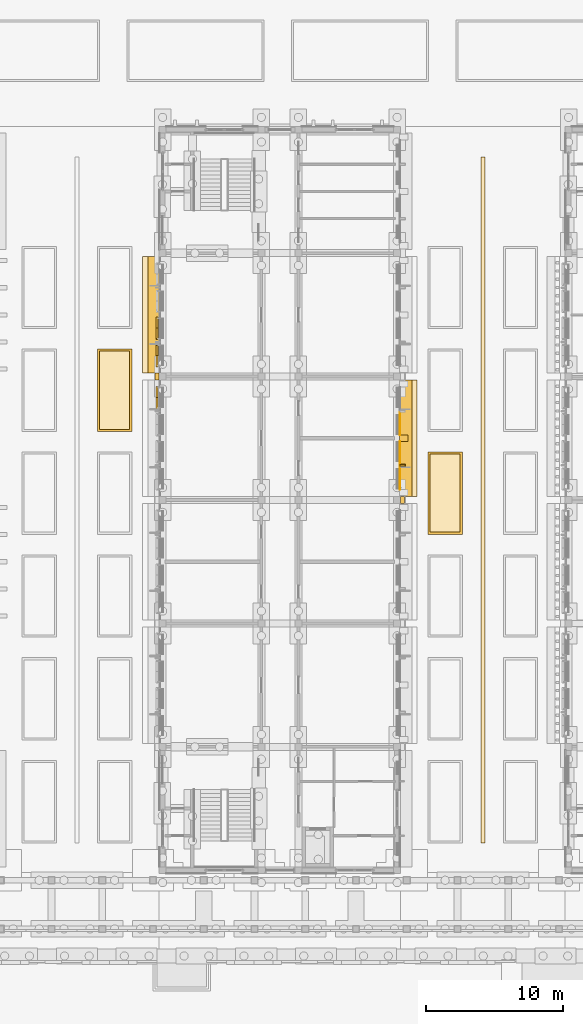
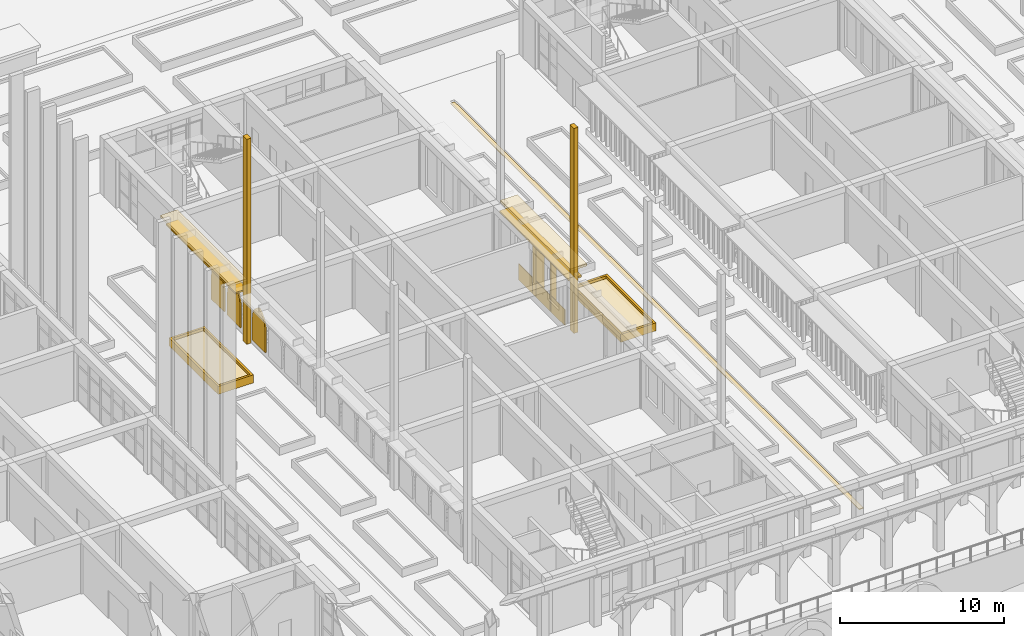
# One storey, part 107 of 161: 14 coverings, 5 shading devices.
"""IFC4 building model written with IfcOpenShell, lengths in metres."""

from ifc_helpers import new_model, si_unit, direction, frame, origin, origin_2d, place, context, subcontext, project, spatial, polyline, rectangle, outline, extrude, material, layer, layer_set, type_object, element, save


model = new_model("IFC4")

# Units and contexts
model_context = context("Model", 3, precision=1e-05, world=origin(), true_north=direction((0.0, 1.0)))
body_context = subcontext(model_context, "Body", "Model", "MODEL_VIEW")
ifc_project = project(units=[si_unit("LENGTHUNIT", "METRE"), si_unit("AREAUNIT", "SQUARE_METRE"), si_unit("VOLUMEUNIT", "CUBIC_METRE"), si_unit("PLANEANGLEUNIT", "RADIAN"), si_unit("MASSUNIT", "GRAM", prefix="KILO")], contexts=[model_context])

# Site, building, storey
site_placement = place(None, origin())
site = spatial("IfcSite", under=ifc_project, at=site_placement, CompositionType="ELEMENT")
building_placement = place(site_placement, origin())
building = spatial("IfcBuilding", under=site, at=building_placement, Name="Elbe Cascade School", CompositionType="ELEMENT")
storey_placement = place(building_placement, origin())
storey = spatial("IfcBuildingStorey", under=building, at=storey_placement, Name="L00", CompositionType="ELEMENT", Elevation=0.0)

# Shading devices
ifc_material_1 = material(Name="Precast concrete C30/37", Category="concrete")
ifc_layer_1 = layer(ifc_material_1, 0.1201171875)
ifc_layer_set_1 = layer_set([ifc_layer_1], Name="Precast concrete C30/37")
shading_device_type_1 = type_object("IfcShadingDeviceType", Name="Bars envelope Chhajja eave, precast concrete, 900 x 120", PredefinedType="USERDEFINED", material=ifc_layer_set_1)
for number, where, z_axis, x_axis, name in (
    (1, (97.969970703125, 46.5, 3.6298828125), (0.0, 0.0, 1.0), (0.0, 1.0, 0.0), "Chhajja eave SD2 B.L00.w5"),
    (2, (116.330078125, 37.5, 3.6298828125), (0.0, 0.0, 1.0), (0.0, 1.0, 0.0), "Chhajja eave SD2 B.L00.e4"),
):
    element("IfcShadingDevice", number, at=place(storey_placement, frame(where, z_axis=z_axis, x_axis=x_axis)), inside=storey, type_object=shading_device_type_1, Name=name, ObjectType="CHHAJJA", PredefinedType="USERDEFINED", context=body_context, shape_type="SweptSolid", body=[
        extrude(rectangle(XDim=8.5, YDim=0.89990234375, at=origin_2d()), origin(), (0.0, 0.0, 1.0), 0.1201171875),
    ])
ifc_material_2 = material(Name="Precast concrete C40/50", Category="concrete")
ifc_layer_2 = layer(ifc_material_2, 0.10009765625)
ifc_layer_set_2 = layer_set([ifc_layer_2], Name="Precast concrete C40/50")
shading_device_type_2 = type_object("IfcShadingDeviceType", Name="Bars envelope Jali screen 1600 x 2840, pointed arch rise 1200, pierced precast concrete", PredefinedType="USERDEFINED", material=ifc_layer_set_2)
shading_device_1_placement = place(storey_placement, frame((98.139892578125, 39.669921875, 2.239990234375), z_axis=(-1.0, 0.0, 0.0), x_axis=(0.0, 0.196300278283, 0.98054382908)))
element("IfcShadingDevice", 3, at=shading_device_1_placement, inside=storey, type_object=shading_device_type_2, Name="Jali screen SD3 B.L00.w4.4", ObjectType="JALI", PredefinedType="USERDEFINED", context=body_context, shape_type="SweptSolid", body=[
    extrude(outline(polyline([(0.0, 0.0), (0.509921112317134, 0.0), (0.7186888708788461, 0.0602894897654897), (0.8735458233318658, 0.1311226852889124), (0.9982874871653163, 0.20823380534668107), (1.102872417131342, 0.2891312241218946), (1.1919448840573539, 0.37338315020117196), (1.2683296500699814, 0.46017509452971084), (1.3336545243794973, 0.5489321924158467), (1.3075801207519657, 0.6562359822289878), (1.270445825421322, 0.7655049255997259), (1.220671754049922, 0.877553277802997), (1.1553372947658807, 0.9927167467270602), (1.069846101614414, 1.1116665143685687), (0.9542396198433787, 1.2368942065444228), (0.7847223319636507, 1.37266560447821), (0.31409961520112845, 1.5689658827607584), (-1.2938869326328684, 1.8908772522001815), (-1.6079865478339967, 0.32191136943942317), (0.0, 0.0)])), origin(), (0.0, 0.0, -1.0), 0.10009765625),
])
shading_device_2_placement = place(storey_placement, frame((98.139892578125, 42.72998046875, 2.239990234375), z_axis=(-1.0, 0.0, 0.0), x_axis=(0.0, 0.196300278283, 0.98054382908)))
element("IfcShadingDevice", 4, at=shading_device_2_placement, inside=storey, type_object=shading_device_type_2, Name="Jali screen SD3 B.L00.w5.1", ObjectType="JALI", PredefinedType="USERDEFINED", context=body_context, shape_type="SweptSolid", body=[
    extrude(outline(polyline([(0.0, 0.0), (0.509921112317134, 0.0), (0.7186409460062186, 0.06005009918221829), (0.8735458233318658, 0.1311226852889124), (0.9982395622926888, 0.20799441476340969), (1.102872417131342, 0.2891312241218946), (1.1919448840573539, 0.37338315020117196), (1.268281725197354, 0.45993570394643946), (1.3336545243794973, 0.5489321924158467), (1.3075321958793382, 0.6559965916457164), (1.270445825421322, 0.7655049255997259), (1.220671754049922, 0.877553277802997), (1.155289369893253, 0.9924773561437888), (1.069846101614414, 1.1116665143685687), (0.9541916949707512, 1.2366548159611515), (0.7847223319636507, 1.37266560447821), (0.31409961520112845, 1.5689658827607584), (-1.2938869326328684, 1.8908772522001815), (-1.6079865478339967, 0.32191136943942317), (0.0, 0.0)])), origin(), (0.0, 0.0, -1.0), 0.10009765625),
])
shading_device_3_placement = place(storey_placement, frame((98.139892578125, 44.7099609375, 2.239990234375), z_axis=(-1.0, 0.0, 0.0), x_axis=(0.0, 0.196300278283, 0.98054382908)))
element("IfcShadingDevice", 5, at=shading_device_3_placement, inside=storey, type_object=shading_device_type_2, Name="Jali screen SD3 B.L00.w5.2", ObjectType="JALI", PredefinedType="USERDEFINED", context=body_context, shape_type="SweptSolid", body=[
    extrude(outline(polyline([(0.0, 0.0), (0.509921112317134, 0.0), (0.7186409460062186, 0.06005009918221829), (0.8735458233318658, 0.1311226852889124), (0.9982874871653163, 0.20823380534668107), (1.102872417131342, 0.2891312241218946), (1.1919448840573539, 0.37338315020117196), (1.268281725197354, 0.45993570394643946), (1.3336545243794973, 0.5489321924158467), (1.3075801207519657, 0.6562359822289878), (1.270445825421322, 0.7655049255997259), (1.220671754049922, 0.877553277802997), (1.155289369893253, 0.9924773561437888), (1.069846101614414, 1.1116665143685687), (0.9542396198433787, 1.2368942065444228), (0.7847223319636507, 1.37266560447821), (0.31409961520112845, 1.5689658827607584), (-1.2938869326328684, 1.8908772522001815), (-1.6079865478339967, 0.32191136943942317), (0.0, 0.0)])), origin(), (0.0, 0.0, -1.0), 0.10009765625),
])

# Coverings
ifc_material_3 = material(Name="Precast concrete C40/50", Category="concrete")
covering_type_1 = type_object("IfcCoveringType", Name="Bars envelope Precast concrete fin, 140 wide, 400 deep", PredefinedType="CLADDING", material=ifc_material_3)
covering_1_placement = place(storey_placement, frame((116.080078125, 35.52001953125, 0.0), z_axis=(0.0, 0.0, 1.0), x_axis=(0.0, 1.0, 0.0)))
element("IfcCovering", 6, at=covering_1_placement, inside=storey, type_object=covering_type_1, Name="Fin CV56 B.L00.e4.4", PredefinedType="CLADDING", context=body_context, shape_type="SweptSolid", body=[
    extrude(rectangle(XDim=0.139892578125, YDim=0.39990234375, at=origin_2d()), origin(), (0.0, 0.0, 1.0), 3.6298828125),
])
ifc_material_4 = material(Name="Precast concrete C40/50", Category="concrete")
covering_type_2 = type_object("IfcCoveringType", Name="Bars envelope Precast concrete fin, 450 wide, 600 deep", PredefinedType="CLADDING", material=ifc_material_4)
covering_2_placement = place(storey_placement, frame((116.179931640625, 37.5, 0.0), z_axis=(0.0, 0.0, 1.0), x_axis=(0.0, 1.0, 0.0)))
element("IfcCovering", 7, at=covering_2_placement, inside=storey, type_object=covering_type_2, Name="Fin CV55 B.L00.e4.2", PredefinedType="CLADDING", context=body_context, shape_type="SweptSolid", body=[
    extrude(rectangle(XDim=0.449951171875, YDim=0.60009765625, at=origin_2d()), origin(), (0.0, 0.0, 1.0), 3.6298828125),
])
ifc_material_5 = material(Name="Sandstone - red", Category="masonry")
covering_type_3 = type_object("IfcCoveringType", Name="Bars envelope Sandstone chhajja slab, 1200 deep", PredefinedType="CLADDING", material=ifc_material_5)
for number, where, z_axis, x_axis, name in (
    (8, (97.75, 46.5, 4.31982421875), (0.0, 0.0, 1.0), (0.0, 1.0, 0.0), "Chhajja slab CV61 B.L00.w4.1"),
    (9, (116.550048828125, 37.5, 4.31982421875), (0.0, 0.0, 1.0), (0.0, 1.0, 0.0), "Chhajja slab CV61 B.L00.e3.1"),
):
    element("IfcCovering", number, at=place(storey_placement, frame(where, z_axis=z_axis, x_axis=x_axis)), inside=storey, type_object=covering_type_3, Name=name, PredefinedType="CLADDING", context=body_context, shape_type="SweptSolid", body=[
        extrude(rectangle(XDim=8.5, YDim=1.199951171875, at=origin_2d()), origin(), (0.0, 0.0, 1.0), 0.179931640625),
    ])
ifc_material_6 = material(Name="Sandstone - red", Category="masonry")
ifc_layer_3 = layer(ifc_material_6, 0.0400390625)
ifc_layer_set_3 = layer_set([ifc_layer_3], Name="Sandstone - red")
covering_type_4 = type_object("IfcCoveringType", Name="Bars envelope Sandstone cladding, red, 40 mm", PredefinedType="CLADDING", material=ifc_layer_set_3)
for number, where, z_axis, x_axis, name in (
    (10, (115.89990234375, 34.607421875, 0.0), (0.0, 0.0, 1.0), (0.0, 1.0, 0.0), "Sandstone cladding CV48 B.L00.e.4.2"),
    (11, (115.89990234375, 36.4326171875, 0.0), (0.0, 0.0, 1.0), (0.0, 1.0, 0.0), "Sandstone cladding CV48 B.L00.e.4.3"),
    (12, (115.89990234375, 38.5673828125, 0.0), (0.0, 0.0, 1.0), (0.0, 1.0, 0.0), "Sandstone cladding CV48 B.L00.e.4.4"),
):
    element("IfcCovering", number, at=place(storey_placement, frame(where, z_axis=z_axis, x_axis=x_axis)), inside=storey, type_object=covering_type_4, Name=name, PredefinedType="CLADDING", context=body_context, shape_type="SweptSolid", body=[
        extrude(rectangle(XDim=1.68505859375, YDim=0.0400390625, at=origin_2d()), origin(), (0.0, 0.0, 1.0), 1.199951171875),
    ])
ifc_material_7 = material(Name="Sandstone - red", Category="masonry")
covering_type_5 = type_object("IfcCoveringType", Name="Bars envelope Sandstone pilaster, 300 deep", PredefinedType="CLADDING", material=ifc_material_7)
for number, where, z_axis, x_axis, name in (
    (13, (98.199951171875, 42.0, 0.0), (0.0, 0.0, 1.0), (0.0, 1.0, 0.0), "Pilaster CV60 B.w4"),
    (14, (116.10009765625, 33.0, 0.0), (0.0, 0.0, 1.0), (0.0, 1.0, 0.0), "Pilaster CV60 B.e3"),
):
    element("IfcCovering", number, at=place(storey_placement, frame(where, z_axis=z_axis, x_axis=x_axis)), inside=storey, type_object=covering_type_5, Name=name, PredefinedType="CLADDING", context=body_context, shape_type="SweptSolid", body=[
        extrude(rectangle(XDim=0.5, YDim=0.300048828125, at=origin_2d()), origin(), (0.0, 0.0, 1.0), 15.300048828125),
    ])
ifc_material_8 = material(Name="Sandstone - red", Category="masonry")
ifc_layer_4 = layer(ifc_material_8, 0.050048828125)
ifc_layer_set_4 = layer_set([ifc_layer_4], Name="Sandstone - red")
covering_type_6 = type_object("IfcCoveringType", Name="Rill lining 50", PredefinedType="USERDEFINED", material=ifc_layer_set_4)
covering_3_placement = place(storey_placement, frame((0.0, 0.0, -0.199951171875)))
element("IfcCovering", 15, at=covering_3_placement, inside=storey, type_object=covering_type_6, Name="Water rill lining court BC", ObjectType="WATER CHANNEL", PredefinedType="USERDEFINED", context=body_context, shape_type="SweptSolid", body=[
    extrude(outline(polyline([(121.800048828125, 8.0), (122.10009765625, 8.0), (122.10009765625, 58.0), (121.800048828125, 58.0), (121.800048828125, 8.0)])), origin(), (0.0, 0.0, 1.0), 0.050048828125),
])
ifc_material_9 = material(Name="Planting - soil and shrubs", Category="soil")
ifc_layer_5 = layer(ifc_material_9, 0.39990234375)
ifc_layer_set_5 = layer_set([ifc_layer_5], Name="Planting - soil and shrubs")
covering_type_7 = type_object("IfcCoveringType", Name="Site planting bed 400", PredefinedType="USERDEFINED", material=ifc_layer_set_5)
covering_4_placement = place(storey_placement, origin())
element("IfcCovering", 16, at=covering_4_placement, inside=storey, type_object=covering_type_7, Name="Court A-B planting bed east 5", ObjectType="PLANTING BED", PredefinedType="USERDEFINED", context=body_context, shape_type="SweptSolid", body=[
    extrude(outline(polyline([(94.0, 38.14990234375), (96.199951171875, 38.14990234375), (96.199951171875, 43.85009765625), (94.0, 43.85009765625), (94.0, 38.14990234375)])), origin(), (0.0, 0.0, 1.0), 0.39990234375),
])
covering_5_placement = place(storey_placement, origin())
element("IfcCovering", 17, at=covering_5_placement, inside=storey, type_object=covering_type_7, Name="Court B-C planting bed west 4", ObjectType="PLANTING BED", PredefinedType="USERDEFINED", context=body_context, shape_type="SweptSolid", body=[
    extrude(outline(polyline([(118.10009765625, 30.64990234375), (120.300048828125, 30.64990234375), (120.300048828125, 36.35009765625), (118.10009765625, 36.35009765625), (118.10009765625, 30.64990234375)])), origin(), (0.0, 0.0, 1.0), 0.39990234375),
])
ifc_material_10 = material(Name="Concrete C30/37 precast kerb", Category="concrete")
ifc_layer_6 = layer(ifc_material_10, 0.14990234375)
ifc_layer_set_6 = layer_set([ifc_layer_6], Name="Concrete C30/37 precast kerb")
covering_type_8 = type_object("IfcCoveringType", Name="Site planting bed kerb 150x600", PredefinedType="CLADDING", material=ifc_layer_set_6)
covering_6_placement = place(storey_placement, origin())
element("IfcCovering", 18, at=covering_6_placement, inside=storey, type_object=covering_type_8, Name="Court A-B planting bed kerb east 5", PredefinedType="CLADDING", context=body_context, shape_type="SweptSolid", body=[
    extrude(outline(polyline([(93.85009765625, 38.0), (96.35009765625, 38.0), (96.35009765625, 44.0), (93.85009765625, 44.0), (93.85009765625, 38.0)]), holes=[polyline([(94.0, 38.14990234375), (96.199951171875, 38.14990234375), (96.199951171875, 43.85009765625), (94.0, 43.85009765625), (94.0, 38.14990234375)])]), origin(), (0.0, 0.0, 1.0), 0.60009765625),
])
covering_7_placement = place(storey_placement, origin())
element("IfcCovering", 19, at=covering_7_placement, inside=storey, type_object=covering_type_8, Name="Court B-C planting bed kerb west 4", PredefinedType="CLADDING", context=body_context, shape_type="SweptSolid", body=[
    extrude(outline(polyline([(117.949951171875, 30.5), (120.449951171875, 30.5), (120.449951171875, 36.5), (117.949951171875, 36.5), (117.949951171875, 30.5)]), holes=[polyline([(118.10009765625, 30.64990234375), (120.300048828125, 30.64990234375), (120.300048828125, 36.35009765625), (118.10009765625, 36.35009765625), (118.10009765625, 30.64990234375)])]), origin(), (0.0, 0.0, 1.0), 0.60009765625),
])

save(model, "model.ifc")
